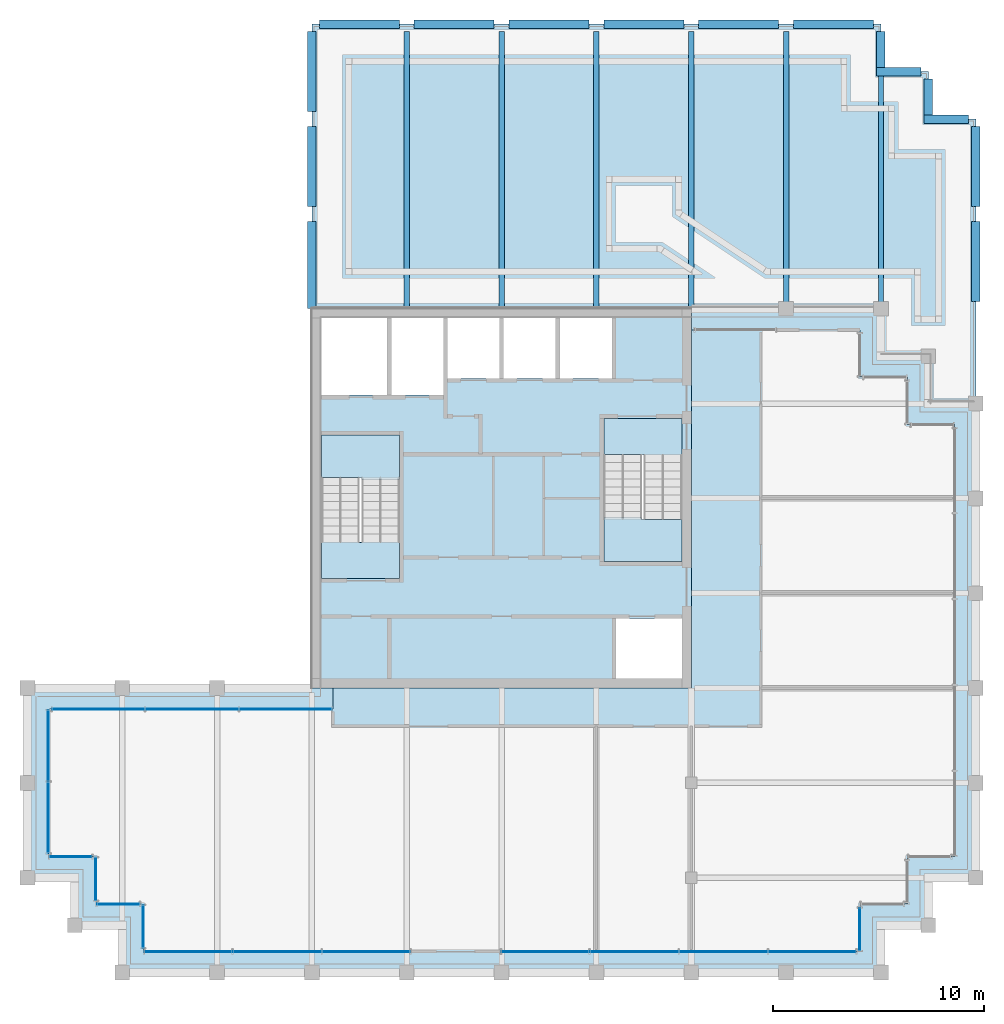
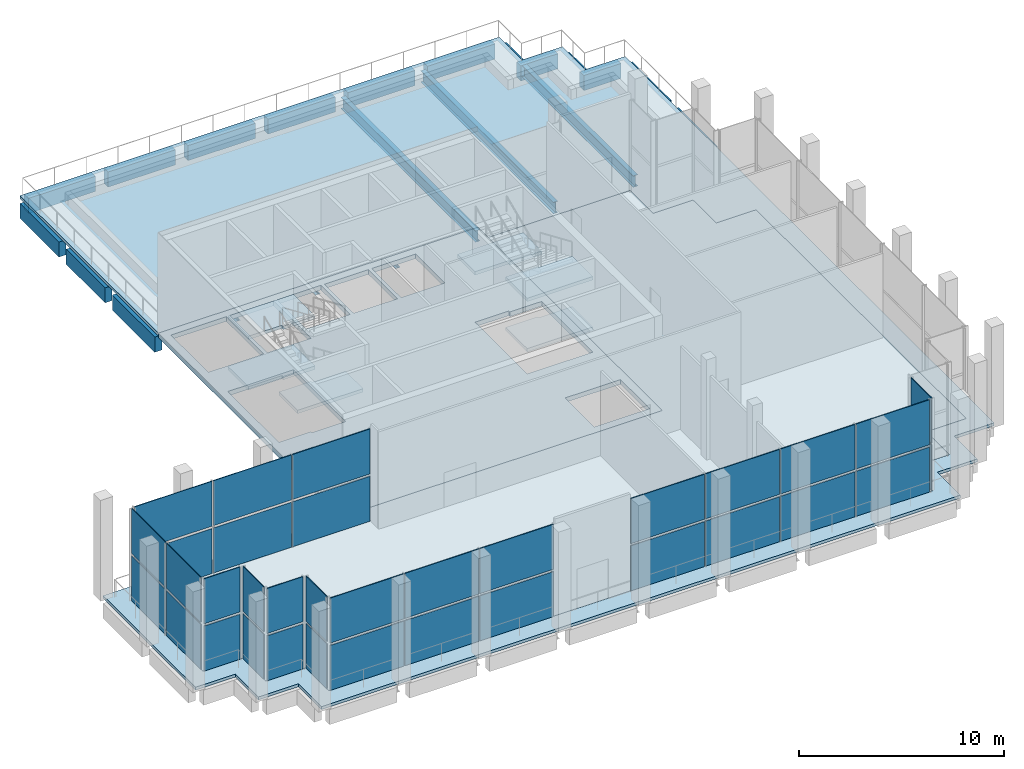
# One storey, part 10 of 15: 34 plates, 21 beams, 9 slabs, 11 elements without a shape of their own.
"""IFC4 building model written with IfcOpenShell, lengths in metres."""

from ifc_helpers import new_model, si_unit, direction, frame, origin, origin_2d, place, context, subcontext, project, spatial, polyline, rectangle, i_section, outline, extrude, material, layer, layer_set, material_profile, profile_set, type_object, element, aggregate, save


model = new_model("IFC4")

# Units and contexts
model_context = context("Model", 3, precision=1e-05, world=origin(), true_north=direction((0.0, 1.0)))
body_context = subcontext(model_context, "Body", "Model", "MODEL_VIEW")
ifc_project = project(units=[si_unit("LENGTHUNIT", "METRE"), si_unit("AREAUNIT", "SQUARE_METRE"), si_unit("VOLUMEUNIT", "CUBIC_METRE"), si_unit("PLANEANGLEUNIT", "RADIAN"), si_unit("MASSUNIT", "GRAM", prefix="KILO")], contexts=[model_context])

# Site, building, storey
site_placement = place(None, origin())
site = spatial("IfcSite", under=ifc_project, at=site_placement, CompositionType="ELEMENT")
building_placement = place(site_placement, origin())
building = spatial("IfcBuilding", under=site, at=building_placement, Name="Altepetl Exchange Towers", CompositionType="ELEMENT")
storey_placement = place(building_placement, frame((0.0, 0.0, 263.60009765625)))
storey = spatial("IfcBuildingStorey", under=building, at=storey_placement, Name="L67 Observation deck", CompositionType="ELEMENT", Elevation=263.60009765625)

# Beams
ifc_material_1 = material(Name="Steel S355", Category="steel")
ifc_material_profile_1 = material_profile(ifc_material_1, i_section(OverallWidth=0.25390625, OverallDepth=0.68408203125, WebThickness=0.012451171875, FlangeThickness=0.018798828125, at=origin_2d()), Name="W27X94")
ifc_profile_set_1 = profile_set([ifc_material_profile_1], Name="Steel S355")
beam_type_1 = type_object("IfcBeamType", Name="Floor beam W27X94", PredefinedType="BEAM", material=ifc_profile_set_1)
for number, where, z_axis, x_axis, name in (
    (1, (45.0, 58.5, -0.51708984375), (0.0, 1.0, 0.0), (-1.0, 0.0, 0.0), "bm:A:L67:t000"),
    (2, (49.5, 58.5, -0.51708984375), (0.0, 1.0, 0.0), (-1.0, 0.0, 0.0), "bm:A:L67:t001"),
    (3, (54.0, 58.5, -0.51708984375), (0.0, 1.0, 0.0), (-1.0, 0.0, 0.0), "bm:A:L67:t002"),
    (4, (58.5, 58.5, -0.51708984375), (0.0, 1.0, 0.0), (-1.0, 0.0, 0.0), "bm:A:L67:t003"),
):
    element("IfcBeam", number, at=place(storey_placement, frame(where, z_axis=z_axis, x_axis=x_axis)), inside=storey, type_object=beam_type_1, Name=name, PredefinedType="BEAM", context=body_context, shape_type="SweptSolid", body=[
        extrude(i_section(OverallWidth=0.25390625, OverallDepth=0.68408203125, WebThickness=0.012451171875, FlangeThickness=0.018798828125, at=origin_2d()), origin(), (0.0, 0.0, 1.0), 13.14990234375),
    ])
beam_1_placement = place(storey_placement, frame((63.0, 58.699951171875, -0.51708984375), z_axis=(0.0, 1.0, 0.0), x_axis=(-1.0, 0.0, 0.0)))
element("IfcBeam", 5, at=beam_1_placement, inside=storey, type_object=beam_type_1, Name="bm:A:L67:t004", PredefinedType="BEAM", context=body_context, shape_type="SweptSolid", body=[
    extrude(i_section(OverallWidth=0.25390625, OverallDepth=0.68408203125, WebThickness=0.012451171875, FlangeThickness=0.018798828125, at=origin_2d()), origin(), (0.0, 0.0, 1.0), 12.949951171875),
])
beam_2_placement = place(storey_placement, frame((67.5, 58.699951171875, -0.51708984375), z_axis=(0.0, 1.0, 0.0), x_axis=(-1.0, 0.0, 0.0)))
element("IfcBeam", 6, at=beam_2_placement, inside=storey, type_object=beam_type_1, Name="bm:A:L67:t005", PredefinedType="BEAM", context=body_context, shape_type="SweptSolid", body=[
    extrude(i_section(OverallWidth=0.25390625, OverallDepth=0.68408203125, WebThickness=0.012451171875, FlangeThickness=0.018798828125, at=origin_2d()), origin(), (0.0, 0.0, 1.0), 10.85009765625),
])
ifc_material_2 = material(Name="Concrete C50/60 precast with cantera rosa facing", Category="concrete")
ifc_material_profile_2 = material_profile(ifc_material_2, rectangle(XDim=0.39990234375, YDim=0.89990234375, at=origin_2d()), Name="400 x 900")
ifc_profile_set_2 = profile_set([ifc_material_profile_2], Name="Concrete C50/60 precast with cantera rosa facing")
beam_type_2 = type_object("IfcBeamType", Name="Spandrel beam 400x900 cantera rosa", PredefinedType="SPANDREL", material=ifc_profile_set_2)
for number, where, z_axis, x_axis, name in (
    (7, (72.0, 58.85009765625, -0.625), (0.0, 1.0, 0.0), (-1.0, 0.0, 0.0), "sp:A:L67:t000"),
    (8, (72.0, 63.35009765625, -0.625), (0.0, 1.0, 0.0), (-1.0, 0.0, 0.0), "sp:A:L67:t001"),
):
    element("IfcBeam", number, at=place(storey_placement, frame(where, z_axis=z_axis, x_axis=x_axis)), inside=storey, type_object=beam_type_2, Name=name, PredefinedType="SPANDREL", context=body_context, shape_type="SweptSolid", body=[
        extrude(rectangle(XDim=0.39990234375, YDim=0.89990234375, at=origin_2d()), origin(), (0.0, 0.0, 1.0), 3.7998046875),
    ])
beam_3_placement = place(storey_placement, frame((71.64990234375, 67.5, -0.625), z_axis=(-1.0, 0.0, 0.0), x_axis=(0.0, -1.0, 0.0)))
element("IfcBeam", 9, at=beam_3_placement, inside=storey, type_object=beam_type_2, Name="sp:A:L67:t002", PredefinedType="SPANDREL", context=body_context, shape_type="SweptSolid", body=[
    extrude(rectangle(XDim=0.39990234375, YDim=0.89990234375, at=origin_2d()), origin(), (0.0, 0.0, 1.0), 2.099853515625),
])
beam_4_placement = place(storey_placement, frame((69.75, 67.699951171875, -0.625), z_axis=(0.0, 1.0, 0.0), x_axis=(-1.0, 0.0, 0.0)))
element("IfcBeam", 10, at=beam_4_placement, inside=storey, type_object=beam_type_2, Name="sp:A:L67:t003", PredefinedType="SPANDREL", context=body_context, shape_type="SweptSolid", body=[
    extrude(rectangle(XDim=0.39990234375, YDim=0.89990234375, at=origin_2d()), origin(), (0.0, 0.0, 1.0), 1.699951171875),
])
beam_5_placement = place(storey_placement, frame((69.39990234375, 69.75, -0.625), z_axis=(-1.0, 0.0, 0.0), x_axis=(0.0, -1.0, 0.0)))
element("IfcBeam", 11, at=beam_5_placement, inside=storey, type_object=beam_type_2, Name="sp:A:L67:t004", PredefinedType="SPANDREL", context=body_context, shape_type="SweptSolid", body=[
    extrude(rectangle(XDim=0.39990234375, YDim=0.89990234375, at=origin_2d()), origin(), (0.0, 0.0, 1.0), 2.099853515625),
])
beam_6_placement = place(storey_placement, frame((67.5, 69.949951171875, -0.625), z_axis=(0.0, 1.0, 0.0), x_axis=(-1.0, 0.0, 0.0)))
element("IfcBeam", 12, at=beam_6_placement, inside=storey, type_object=beam_type_2, Name="sp:A:L67:t005", PredefinedType="SPANDREL", context=body_context, shape_type="SweptSolid", body=[
    extrude(rectangle(XDim=0.39990234375, YDim=0.89990234375, at=origin_2d()), origin(), (0.0, 0.0, 1.0), 1.699951171875),
])
for number, where, z_axis, x_axis, name in (
    (13, (67.14990234375, 72.0, -0.625), (-1.0, 0.0, 0.0), (0.0, -1.0, 0.0), "sp:A:L67:t006"),
    (14, (62.64990234375, 72.0, -0.625), (-1.0, 0.0, 0.0), (0.0, -1.0, 0.0), "sp:A:L67:t007"),
    (15, (58.14990234375, 72.0, -0.625), (-1.0, 0.0, 0.0), (0.0, -1.0, 0.0), "sp:A:L67:t008"),
    (16, (53.64990234375, 72.0, -0.625), (-1.0, 0.0, 0.0), (0.0, -1.0, 0.0), "sp:A:L67:t009"),
    (17, (49.14990234375, 72.0, -0.625), (-1.0, 0.0, 0.0), (0.0, -1.0, 0.0), "sp:A:L67:t010"),
    (18, (44.64990234375, 72.0, -0.625), (-1.0, 0.0, 0.0), (0.0, -1.0, 0.0), "sp:A:L67:t011"),
):
    element("IfcBeam", number, at=place(storey_placement, frame(where, z_axis=z_axis, x_axis=x_axis)), inside=storey, type_object=beam_type_2, Name=name, PredefinedType="SPANDREL", context=body_context, shape_type="SweptSolid", body=[
        extrude(rectangle(XDim=0.39990234375, YDim=0.89990234375, at=origin_2d()), origin(), (0.0, 0.0, 1.0), 3.7998046875),
    ])
ifc_material_3 = material(Name="Concrete C50/60 precast with tezontle facing", Category="concrete")
ifc_material_profile_3 = material_profile(ifc_material_3, rectangle(XDim=0.39990234375, YDim=0.89990234375, at=origin_2d()), Name="400 x 900")
ifc_profile_set_3 = profile_set([ifc_material_profile_3], Name="Concrete C50/60 precast with tezontle facing")
beam_type_3 = type_object("IfcBeamType", Name="Spandrel beam 400x900 tezontle", PredefinedType="SPANDREL", material=ifc_profile_set_3)
for number, where, z_axis, x_axis, name in (
    (19, (40.5, 71.64990234375, -0.625), (0.0, -1.0, 0.0), (1.0, 0.0, 0.0), "sp:A:L67:t012"),
    (20, (40.5, 67.14990234375, -0.625), (0.0, -1.0, 0.0), (1.0, 0.0, 0.0), "sp:A:L67:t013"),
):
    element("IfcBeam", number, at=place(storey_placement, frame(where, z_axis=z_axis, x_axis=x_axis)), inside=storey, type_object=beam_type_3, Name=name, PredefinedType="SPANDREL", context=body_context, shape_type="SweptSolid", body=[
        extrude(rectangle(XDim=0.39990234375, YDim=0.89990234375, at=origin_2d()), origin(), (0.0, 0.0, 1.0), 3.7998046875),
    ])
beam_7_placement = place(storey_placement, frame((40.5, 62.64990234375, -0.625), z_axis=(0.0, -1.0, 0.0), x_axis=(1.0, 0.0, 0.0)))
element("IfcBeam", 21, at=beam_7_placement, inside=storey, type_object=beam_type_3, Name="sp:A:L67:t014", PredefinedType="SPANDREL", context=body_context, shape_type="SweptSolid", body=[
    extrude(rectangle(XDim=0.39990234375, YDim=0.89990234375, at=origin_2d()), origin(), (0.0, 0.0, 1.0), 4.14990234375),
])

# Slabs
ifc_material_4 = material(Name="Concrete C40/50", Category="concrete")
ifc_layer_1 = layer(ifc_material_4, 0.175048828125)
ifc_layer_set_1 = layer_set([ifc_layer_1], Name="Concrete C40/50")
slab_type_1 = type_object("IfcSlabType", Name="Composite floor slab 175", PredefinedType="FLOOR", material=ifc_layer_set_1)
slab_1_placement = place(storey_placement, frame((0.0, 0.0, -0.175048828125)))
element("IfcSlab", 22, at=slab_1_placement, inside=storey, type_object=slab_type_1, Name="slab:A:L67:strip0", PredefinedType="FLOOR", context=body_context, shape_type="SweptSolid", body=[
    extrude(outline(polyline([(41.5, 40.5), (41.5, 39.5), (28.0, 39.5), (28.0, 32.5), (30.25, 32.5), (30.25, 30.25), (32.5, 30.25), (32.5, 28.0), (66.5, 28.0), (66.5, 30.25), (68.75, 30.25), (68.75, 32.5), (71.0, 32.5), (71.0, 53.0), (68.75, 53.0), (68.75, 55.25), (66.5, 55.25), (66.5, 57.5), (58.5, 57.5), (58.5, 40.5), (41.5, 40.5)])), origin(), (0.0, 0.0, 1.0), 0.175048828125),
])
ifc_layer_2 = layer(ifc_material_4, 0.27490234375)
ifc_layer_set_2 = layer_set([ifc_layer_2], Name="Concrete C40/50")
slab_type_2 = type_object("IfcSlabType", Name="Core floor slab 275", PredefinedType="FLOOR", material=ifc_layer_set_2)
slab_2_placement = place(storey_placement, frame((0.0, 0.0, -0.275146484375)))
element("IfcSlab", 23, at=slab_2_placement, inside=storey, type_object=slab_type_2, Name="slab:A:L67:core0", PredefinedType="FLOOR", context=body_context, shape_type="SweptSolid", body=[
    extrude(outline(polyline([(40.5, 40.5), (58.5, 40.5), (58.5, 58.5), (40.5, 58.5), (40.5, 40.5)]), holes=[polyline([(54.93310546875, 43.800048828125), (58.050048828125, 43.800048828125), (58.050048828125, 40.949951171875), (54.93310546875, 40.949951171875), (54.93310546875, 43.800048828125)]), polyline([(54.35009765625, 51.5791015625), (56.25, 51.5791015625), (56.25, 51.47998046875), (58.050048828125, 51.47998046875), (58.050048828125, 46.5), (54.35009765625, 46.5), (54.35009765625, 51.5791015625)]), polyline([(44.64990234375, 47.4208984375), (42.75, 47.4208984375), (42.75, 47.52001953125), (40.949951171875, 47.52001953125), (40.949951171875, 52.5), (44.64990234375, 52.5), (44.64990234375, 47.4208984375)]), polyline([(40.949951171875, 58.050048828125), (44.06689453125, 58.050048828125), (44.06689453125, 54.39990234375), (40.949951171875, 54.39990234375), (40.949951171875, 58.050048828125)]), polyline([(44.26708984375, 58.050048828125), (46.73291015625, 58.050048828125), (46.73291015625, 54.39990234375), (44.26708984375, 54.39990234375), (44.26708984375, 58.050048828125)]), polyline([(46.93310546875, 58.050048828125), (49.39990234375, 58.050048828125), (49.39990234375, 55.199951171875), (46.93310546875, 55.199951171875), (46.93310546875, 58.050048828125)]), polyline([(49.60009765625, 58.050048828125), (52.06689453125, 58.050048828125), (52.06689453125, 55.199951171875), (49.60009765625, 55.199951171875), (49.60009765625, 58.050048828125)]), polyline([(52.26708984375, 58.050048828125), (54.73291015625, 58.050048828125), (54.73291015625, 55.199951171875), (52.26708984375, 55.199951171875), (52.26708984375, 58.050048828125)])]), origin(), (0.0, 0.0, 1.0), 0.275146484375),
])

# Curtain wall, plates
ifc_material_5 = material(Name="Aluminium 6063-T6 glazing", Category="aluminium")
curtain_wall_type = type_object("IfcCurtainWallType", Name="Executive flush glazing system", PredefinedType="NOTDEFINED", material=ifc_material_5)
curtain_wall_1_placement = place(storey_placement, origin())
curtain_wall_1 = element("IfcCurtainWall", 24, at=curtain_wall_1_placement, inside=storey, type_object=curtain_wall_type, Name="CW4 run", PredefinedType="NOTDEFINED")
ifc_material_6 = material(Name="Glass 10-24-10 laminated", Category="glass")
ifc_layer_3 = layer(ifc_material_6, 0.0439453125)
ifc_layer_set_3 = layer_set([ifc_layer_3], Name="Glass 10-24-10 laminated")
plate_type = type_object("IfcPlateType", Name="Glass panel 44 laminated", PredefinedType="CURTAIN_PANEL", material=ifc_layer_set_3)
plate_1_placement = place(storey_placement, frame((39.255859375, 39.5, 0.0), z_axis=(0.0, 0.0, 1.0), x_axis=(-1.0, 0.0, 0.0)))
plate_1 = element("IfcPlate", 25, at=plate_1_placement, type_object=plate_type, Name="GP3 panel", PredefinedType="CURTAIN_PANEL", context=body_context, shape_type="SweptSolid", body=[
    extrude(rectangle(XDim=4.368408203125, YDim=0.0439453125, at=origin_2d()), origin(), (0.0, 0.0, 1.0), 2.679931640625),
])
plate_2_placement = place(storey_placement, frame((39.255859375, 39.5, 2.81982421875), z_axis=(0.0, 0.0, 1.0), x_axis=(-1.0, 0.0, 0.0)))
plate_2 = element("IfcPlate", 26, at=plate_2_placement, type_object=plate_type, Name="GP3 panel", PredefinedType="CURTAIN_PANEL", context=body_context, shape_type="SweptSolid", body=[
    extrude(rectangle(XDim=4.368408203125, YDim=0.0439453125, at=origin_2d()), origin(), (0.0, 0.0, 1.0), 2.679931640625),
])
plate_3_placement = place(storey_placement, frame((34.8125, 39.5, 0.0), z_axis=(0.0, 0.0, 1.0), x_axis=(-1.0, 0.0, 0.0)))
plate_3 = element("IfcPlate", 27, at=plate_3_placement, type_object=plate_type, Name="GP3 panel", PredefinedType="CURTAIN_PANEL", context=body_context, shape_type="SweptSolid", body=[
    extrude(rectangle(XDim=4.3984375, YDim=0.0439453125, at=origin_2d()), origin(), (0.0, 0.0, 1.0), 2.679931640625),
])
plate_4_placement = place(storey_placement, frame((34.8125, 39.5, 2.81982421875), z_axis=(0.0, 0.0, 1.0), x_axis=(-1.0, 0.0, 0.0)))
plate_4 = element("IfcPlate", 28, at=plate_4_placement, type_object=plate_type, Name="GP3 panel", PredefinedType="CURTAIN_PANEL", context=body_context, shape_type="SweptSolid", body=[
    extrude(rectangle(XDim=4.3984375, YDim=0.0439453125, at=origin_2d()), origin(), (0.0, 0.0, 1.0), 2.679931640625),
])
plate_5_placement = place(storey_placement, frame((30.369140625, 39.5, 0.0), z_axis=(0.0, 0.0, 1.0), x_axis=(-1.0, 0.0, 0.0)))
plate_5 = element("IfcPlate", 29, at=plate_5_placement, type_object=plate_type, Name="GP3 panel", PredefinedType="CURTAIN_PANEL", context=body_context, shape_type="SweptSolid", body=[
    extrude(rectangle(XDim=4.368408203125, YDim=0.0439453125, at=origin_2d()), origin(), (0.0, 0.0, 1.0), 2.679931640625),
])
plate_6_placement = place(storey_placement, frame((30.369140625, 39.5, 2.81982421875), z_axis=(0.0, 0.0, 1.0), x_axis=(-1.0, 0.0, 0.0)))
plate_6 = element("IfcPlate", 30, at=plate_6_placement, type_object=plate_type, Name="GP3 panel", PredefinedType="CURTAIN_PANEL", context=body_context, shape_type="SweptSolid", body=[
    extrude(rectangle(XDim=4.368408203125, YDim=0.0439453125, at=origin_2d()), origin(), (0.0, 0.0, 1.0), 2.679931640625),
])
aggregate(curtain_wall_1, [plate_1, plate_2, plate_3, plate_4, plate_5, plate_6])

curtain_wall_2_placement = place(storey_placement, origin())
curtain_wall_2 = element("IfcCurtainWall", 31, at=curtain_wall_2_placement, inside=storey, type_object=curtain_wall_type, Name="CW4 run", PredefinedType="NOTDEFINED")
plate_7_placement = place(storey_placement, frame((28.0, 37.766357421875, 0.0), z_axis=(0.0, 0.0, 1.0), x_axis=(0.0, -1.0, 0.0)))
plate_7 = element("IfcPlate", 32, at=plate_7_placement, type_object=plate_type, Name="GP3 panel", PredefinedType="CURTAIN_PANEL", context=body_context, shape_type="SweptSolid", body=[
    extrude(rectangle(XDim=3.347412109375, YDim=0.0439453125, at=origin_2d()), origin(), (0.0, 0.0, 1.0), 2.679931640625),
])
plate_8_placement = place(storey_placement, frame((28.0, 37.766357421875, 2.81982421875), z_axis=(0.0, 0.0, 1.0), x_axis=(0.0, -1.0, 0.0)))
plate_8 = element("IfcPlate", 33, at=plate_8_placement, type_object=plate_type, Name="GP3 panel", PredefinedType="CURTAIN_PANEL", context=body_context, shape_type="SweptSolid", body=[
    extrude(rectangle(XDim=3.347412109375, YDim=0.0439453125, at=origin_2d()), origin(), (0.0, 0.0, 1.0), 2.679931640625),
])
plate_9_placement = place(storey_placement, frame((28.0, 34.358642578125, 0.0), z_axis=(0.0, 0.0, 1.0), x_axis=(0.0, -1.0, 0.0)))
plate_9 = element("IfcPlate", 34, at=plate_9_placement, type_object=plate_type, Name="GP3 panel", PredefinedType="CURTAIN_PANEL", context=body_context, shape_type="SweptSolid", body=[
    extrude(rectangle(XDim=3.347412109375, YDim=0.0439453125, at=origin_2d()), origin(), (0.0, 0.0, 1.0), 2.679931640625),
])
plate_10_placement = place(storey_placement, frame((28.0, 34.358642578125, 2.81982421875), z_axis=(0.0, 0.0, 1.0), x_axis=(0.0, -1.0, 0.0)))
plate_10 = element("IfcPlate", 35, at=plate_10_placement, type_object=plate_type, Name="GP3 panel", PredefinedType="CURTAIN_PANEL", context=body_context, shape_type="SweptSolid", body=[
    extrude(rectangle(XDim=3.347412109375, YDim=0.0439453125, at=origin_2d()), origin(), (0.0, 0.0, 1.0), 2.679931640625),
])
aggregate(curtain_wall_2, [plate_7, plate_8, plate_9, plate_10])

curtain_wall_3_placement = place(storey_placement, origin())
curtain_wall_3 = element("IfcCurtainWall", 36, at=curtain_wall_3_placement, inside=storey, type_object=curtain_wall_type, Name="CW4 run", PredefinedType="NOTDEFINED")
plate_11_placement = place(storey_placement, frame((29.0625, 32.5, 0.0)))
plate_11 = element("IfcPlate", 37, at=plate_11_placement, type_object=plate_type, Name="GP3 panel", PredefinedType="CURTAIN_PANEL", context=body_context, shape_type="SweptSolid", body=[
    extrude(rectangle(XDim=2.0048828125, YDim=0.0439453125, at=origin_2d()), origin(), (0.0, 0.0, 1.0), 2.679931640625),
])
plate_12_placement = place(storey_placement, frame((29.0625, 32.5, 2.81982421875)))
plate_12 = element("IfcPlate", 38, at=plate_12_placement, type_object=plate_type, Name="GP3 panel", PredefinedType="CURTAIN_PANEL", context=body_context, shape_type="SweptSolid", body=[
    extrude(rectangle(XDim=2.0048828125, YDim=0.0439453125, at=origin_2d()), origin(), (0.0, 0.0, 1.0), 2.679931640625),
])
aggregate(curtain_wall_3, [plate_11, plate_12])

curtain_wall_4_placement = place(storey_placement, origin())
curtain_wall_4 = element("IfcCurtainWall", 39, at=curtain_wall_4_placement, inside=storey, type_object=curtain_wall_type, Name="CW4 run", PredefinedType="NOTDEFINED")
plate_13_placement = place(storey_placement, frame((30.25, 31.4375, 0.0), z_axis=(0.0, 0.0, 1.0), x_axis=(0.0, -1.0, 0.0)))
plate_13 = element("IfcPlate", 40, at=plate_13_placement, type_object=plate_type, Name="GP3 panel", PredefinedType="CURTAIN_PANEL", context=body_context, shape_type="SweptSolid", body=[
    extrude(rectangle(XDim=2.0048828125, YDim=0.0439453125, at=origin_2d()), origin(), (0.0, 0.0, 1.0), 2.679931640625),
])
plate_14_placement = place(storey_placement, frame((30.25, 31.4375, 2.81982421875), z_axis=(0.0, 0.0, 1.0), x_axis=(0.0, -1.0, 0.0)))
plate_14 = element("IfcPlate", 41, at=plate_14_placement, type_object=plate_type, Name="GP3 panel", PredefinedType="CURTAIN_PANEL", context=body_context, shape_type="SweptSolid", body=[
    extrude(rectangle(XDim=2.0048828125, YDim=0.0439453125, at=origin_2d()), origin(), (0.0, 0.0, 1.0), 2.679931640625),
])
aggregate(curtain_wall_4, [plate_13, plate_14])

curtain_wall_5_placement = place(storey_placement, origin())
curtain_wall_5 = element("IfcCurtainWall", 42, at=curtain_wall_5_placement, inside=storey, type_object=curtain_wall_type, Name="CW4 run", PredefinedType="NOTDEFINED")
plate_15_placement = place(storey_placement, frame((31.3125, 30.25, 0.0)))
plate_15 = element("IfcPlate", 43, at=plate_15_placement, type_object=plate_type, Name="GP3 panel", PredefinedType="CURTAIN_PANEL", context=body_context, shape_type="SweptSolid", body=[
    extrude(rectangle(XDim=2.0048828125, YDim=0.0439453125, at=origin_2d()), origin(), (0.0, 0.0, 1.0), 2.679931640625),
])
plate_16_placement = place(storey_placement, frame((31.3125, 30.25, 2.81982421875)))
plate_16 = element("IfcPlate", 44, at=plate_16_placement, type_object=plate_type, Name="GP3 panel", PredefinedType="CURTAIN_PANEL", context=body_context, shape_type="SweptSolid", body=[
    extrude(rectangle(XDim=2.0048828125, YDim=0.0439453125, at=origin_2d()), origin(), (0.0, 0.0, 1.0), 2.679931640625),
])
aggregate(curtain_wall_5, [plate_15, plate_16])

curtain_wall_6_placement = place(storey_placement, origin())
curtain_wall_6 = element("IfcCurtainWall", 45, at=curtain_wall_6_placement, inside=storey, type_object=curtain_wall_type, Name="CW4 run", PredefinedType="NOTDEFINED")
plate_17_placement = place(storey_placement, frame((32.5, 29.1875, 0.0), z_axis=(0.0, 0.0, 1.0), x_axis=(0.0, -1.0, 0.0)))
plate_17 = element("IfcPlate", 46, at=plate_17_placement, type_object=plate_type, Name="GP3 panel", PredefinedType="CURTAIN_PANEL", context=body_context, shape_type="SweptSolid", body=[
    extrude(rectangle(XDim=2.0048828125, YDim=0.0439453125, at=origin_2d()), origin(), (0.0, 0.0, 1.0), 2.679931640625),
])
plate_18_placement = place(storey_placement, frame((32.5, 29.1875, 2.81982421875), z_axis=(0.0, 0.0, 1.0), x_axis=(0.0, -1.0, 0.0)))
plate_18 = element("IfcPlate", 47, at=plate_18_placement, type_object=plate_type, Name="GP3 panel", PredefinedType="CURTAIN_PANEL", context=body_context, shape_type="SweptSolid", body=[
    extrude(rectangle(XDim=2.0048828125, YDim=0.0439453125, at=origin_2d()), origin(), (0.0, 0.0, 1.0), 2.679931640625),
])
aggregate(curtain_wall_6, [plate_17, plate_18])

curtain_wall_7_placement = place(storey_placement, origin())
curtain_wall_7 = element("IfcCurtainWall", 48, at=curtain_wall_7_placement, inside=storey, type_object=curtain_wall_type, Name="CW4 run", PredefinedType="NOTDEFINED")
plate_19_placement = place(storey_placement, frame((34.632080078125, 28.0, 0.0)))
plate_19 = element("IfcPlate", 49, at=plate_19_placement, type_object=plate_type, Name="GP3 panel", PredefinedType="CURTAIN_PANEL", context=body_context, shape_type="SweptSolid", body=[
    extrude(rectangle(XDim=4.144287109375, YDim=0.0439453125, at=origin_2d()), origin(), (0.0, 0.0, 1.0), 2.679931640625),
])
plate_20_placement = place(storey_placement, frame((34.632080078125, 28.0, 2.81982421875)))
plate_20 = element("IfcPlate", 50, at=plate_20_placement, type_object=plate_type, Name="GP3 panel", PredefinedType="CURTAIN_PANEL", context=body_context, shape_type="SweptSolid", body=[
    extrude(rectangle(XDim=4.144287109375, YDim=0.0439453125, at=origin_2d()), origin(), (0.0, 0.0, 1.0), 2.679931640625),
])
plate_21_placement = place(storey_placement, frame((38.8515625, 28.0, 0.0)))
plate_21 = element("IfcPlate", 51, at=plate_21_placement, type_object=plate_type, Name="GP3 panel", PredefinedType="CURTAIN_PANEL", context=body_context, shape_type="SweptSolid", body=[
    extrude(rectangle(XDim=4.17431640625, YDim=0.0439453125, at=origin_2d()), origin(), (0.0, 0.0, 1.0), 2.679931640625),
])
plate_22_placement = place(storey_placement, frame((38.8515625, 28.0, 2.81982421875)))
plate_22 = element("IfcPlate", 52, at=plate_22_placement, type_object=plate_type, Name="GP3 panel", PredefinedType="CURTAIN_PANEL", context=body_context, shape_type="SweptSolid", body=[
    extrude(rectangle(XDim=4.17431640625, YDim=0.0439453125, at=origin_2d()), origin(), (0.0, 0.0, 1.0), 2.679931640625),
])
plate_23_placement = place(storey_placement, frame((43.071044921875, 28.0, 0.0)))
plate_23 = element("IfcPlate", 53, at=plate_23_placement, type_object=plate_type, Name="GP3 panel", PredefinedType="CURTAIN_PANEL", context=body_context, shape_type="SweptSolid", body=[
    extrude(rectangle(XDim=4.144287109375, YDim=0.0439453125, at=origin_2d()), origin(), (0.0, 0.0, 1.0), 2.679931640625),
])
plate_24_placement = place(storey_placement, frame((43.071044921875, 28.0, 2.81982421875)))
plate_24 = element("IfcPlate", 54, at=plate_24_placement, type_object=plate_type, Name="GP3 panel", PredefinedType="CURTAIN_PANEL", context=body_context, shape_type="SweptSolid", body=[
    extrude(rectangle(XDim=4.144287109375, YDim=0.0439453125, at=origin_2d()), origin(), (0.0, 0.0, 1.0), 2.679931640625),
])
aggregate(curtain_wall_7, [plate_19, plate_20, plate_21, plate_22, plate_23, plate_24])

curtain_wall_8_placement = place(storey_placement, origin())
curtain_wall_8 = element("IfcCurtainWall", 55, at=curtain_wall_8_placement, inside=storey, type_object=curtain_wall_type, Name="CW4 run", PredefinedType="NOTDEFINED")
plate_25_placement = place(storey_placement, frame((51.569580078125, 28.0, 0.0)))
plate_25 = element("IfcPlate", 56, at=plate_25_placement, type_object=plate_type, Name="GP3 panel", PredefinedType="CURTAIN_PANEL", context=body_context, shape_type="SweptSolid", body=[
    extrude(rectangle(XDim=4.144287109375, YDim=0.0439453125, at=origin_2d()), origin(), (0.0, 0.0, 1.0), 2.679931640625),
])
plate_26_placement = place(storey_placement, frame((51.569580078125, 28.0, 2.81982421875)))
plate_26 = element("IfcPlate", 57, at=plate_26_placement, type_object=plate_type, Name="GP3 panel", PredefinedType="CURTAIN_PANEL", context=body_context, shape_type="SweptSolid", body=[
    extrude(rectangle(XDim=4.144287109375, YDim=0.0439453125, at=origin_2d()), origin(), (0.0, 0.0, 1.0), 2.679931640625),
])
plate_27_placement = place(storey_placement, frame((55.7890625, 28.0, 0.0)))
plate_27 = element("IfcPlate", 58, at=plate_27_placement, type_object=plate_type, Name="GP3 panel", PredefinedType="CURTAIN_PANEL", context=body_context, shape_type="SweptSolid", body=[
    extrude(rectangle(XDim=4.17431640625, YDim=0.0439453125, at=origin_2d()), origin(), (0.0, 0.0, 1.0), 2.679931640625),
])
plate_28_placement = place(storey_placement, frame((55.7890625, 28.0, 2.81982421875)))
plate_28 = element("IfcPlate", 59, at=plate_28_placement, type_object=plate_type, Name="GP3 panel", PredefinedType="CURTAIN_PANEL", context=body_context, shape_type="SweptSolid", body=[
    extrude(rectangle(XDim=4.17431640625, YDim=0.0439453125, at=origin_2d()), origin(), (0.0, 0.0, 1.0), 2.679931640625),
])
plate_29_placement = place(storey_placement, frame((60.0234375, 28.0, 0.0)))
plate_29 = element("IfcPlate", 60, at=plate_29_placement, type_object=plate_type, Name="GP3 panel", PredefinedType="CURTAIN_PANEL", context=body_context, shape_type="SweptSolid", body=[
    extrude(rectangle(XDim=4.17431640625, YDim=0.0439453125, at=origin_2d()), origin(), (0.0, 0.0, 1.0), 2.679931640625),
])
plate_30_placement = place(storey_placement, frame((60.0234375, 28.0, 2.81982421875)))
plate_30 = element("IfcPlate", 61, at=plate_30_placement, type_object=plate_type, Name="GP3 panel", PredefinedType="CURTAIN_PANEL", context=body_context, shape_type="SweptSolid", body=[
    extrude(rectangle(XDim=4.17431640625, YDim=0.0439453125, at=origin_2d()), origin(), (0.0, 0.0, 1.0), 2.679931640625),
])
plate_31_placement = place(storey_placement, frame((64.242919921875, 28.0, 0.0)))
plate_31 = element("IfcPlate", 62, at=plate_31_placement, type_object=plate_type, Name="GP3 panel", PredefinedType="CURTAIN_PANEL", context=body_context, shape_type="SweptSolid", body=[
    extrude(rectangle(XDim=4.144287109375, YDim=0.0439453125, at=origin_2d()), origin(), (0.0, 0.0, 1.0), 2.679931640625),
])
plate_32_placement = place(storey_placement, frame((64.242919921875, 28.0, 2.81982421875)))
plate_32 = element("IfcPlate", 63, at=plate_32_placement, type_object=plate_type, Name="GP3 panel", PredefinedType="CURTAIN_PANEL", context=body_context, shape_type="SweptSolid", body=[
    extrude(rectangle(XDim=4.144287109375, YDim=0.0439453125, at=origin_2d()), origin(), (0.0, 0.0, 1.0), 2.679931640625),
])
aggregate(curtain_wall_8, [plate_25, plate_26, plate_27, plate_28, plate_29, plate_30, plate_31, plate_32])

curtain_wall_9_placement = place(storey_placement, origin())
curtain_wall_9 = element("IfcCurtainWall", 64, at=curtain_wall_9_placement, inside=storey, type_object=curtain_wall_type, Name="CW4 run", PredefinedType="NOTDEFINED")
plate_33_placement = place(storey_placement, frame((66.5, 29.0625, 0.0), z_axis=(0.0, 0.0, 1.0), x_axis=(0.0, 1.0, 0.0)))
plate_33 = element("IfcPlate", 65, at=plate_33_placement, type_object=plate_type, Name="GP3 panel", PredefinedType="CURTAIN_PANEL", context=body_context, shape_type="SweptSolid", body=[
    extrude(rectangle(XDim=2.0048828125, YDim=0.0439453125, at=origin_2d()), origin(), (0.0, 0.0, 1.0), 2.679931640625),
])
plate_34_placement = place(storey_placement, frame((66.5, 29.0625, 2.81982421875), z_axis=(0.0, 0.0, 1.0), x_axis=(0.0, 1.0, 0.0)))
plate_34 = element("IfcPlate", 66, at=plate_34_placement, type_object=plate_type, Name="GP3 panel", PredefinedType="CURTAIN_PANEL", context=body_context, shape_type="SweptSolid", body=[
    extrude(rectangle(XDim=2.0048828125, YDim=0.0439453125, at=origin_2d()), origin(), (0.0, 0.0, 1.0), 2.679931640625),
])
aggregate(curtain_wall_9, [plate_33, plate_34])

# Slab
ifc_layer_4 = layer(ifc_material_4, 0.175048828125)
ifc_layer_set_4 = layer_set([ifc_layer_4], Name="Concrete C40/50")
slab_type_3 = type_object("IfcSlabType", Name="Green roof slab 175", PredefinedType="ROOF", material=ifc_layer_set_4)
slab_3_placement = place(storey_placement, frame((0.0, 0.0, -0.175048828125)))
element("IfcSlab", 67, at=slab_3_placement, inside=storey, type_object=slab_type_3, Name="slab:A:L67:terrace0", PredefinedType="ROOF", context=body_context, shape_type="SweptSolid", body=[
    extrude(outline(polyline([(67.5, 72.0), (40.5, 72.0), (40.5, 58.5), (58.5, 58.5), (58.5, 57.5), (66.5, 57.5), (66.5, 55.25), (68.75, 55.25), (68.75, 53.0), (71.0, 53.0), (71.0, 32.5), (68.75, 32.5), (68.75, 30.25), (66.5, 30.25), (66.5, 28.0), (32.5, 28.0), (32.5, 30.25), (30.25, 30.25), (30.25, 32.5), (28.0, 32.5), (28.0, 39.5), (41.5, 39.5), (41.5, 40.5), (40.5, 40.5), (27.0, 40.5), (27.0, 31.5), (29.25, 31.5), (29.25, 29.25), (31.5, 29.25), (31.5, 27.0), (58.5, 27.0), (67.5, 27.0), (67.5, 29.25), (69.75, 29.25), (69.75, 31.5), (72.0, 31.5), (72.0, 58.5), (72.0, 67.5), (69.75, 67.5), (69.75, 69.75), (67.5, 69.75), (67.5, 72.0)])), origin(), (0.0, 0.0, 1.0), 0.175048828125),
])

# Stair, slabs
stair_type = type_object("IfcStairType", Name="Exit stair 1800 flights dogleg", PredefinedType="HALF_TURN_STAIR", material=ifc_material_4)
stair_1_placement = place(storey_placement, origin())
stair_1 = element("IfcStair", 68, at=stair_1_placement, inside=storey, type_object=stair_type, Name="Exit stair 1", PredefinedType="HALF_TURN_STAIR")
ifc_layer_5 = layer(ifc_material_4, 0.199951171875)
ifc_layer_set_5 = layer_set([ifc_layer_5], Name="Concrete C40/50")
slab_type_4 = type_object("IfcSlabType", Name="Stair landing 200 reinforced concrete", PredefinedType="LANDING", material=ifc_layer_set_5)
slab_4_placement = place(storey_placement, frame((0.0, 0.0, 1.2998046875)))
slab_4 = element("IfcSlab", 69, at=slab_4_placement, type_object=slab_type_4, Name="ST-A1j landing 1", PredefinedType="LANDING", context=body_context, shape_type="SweptSolid", body=[
    extrude(outline(polyline([(44.64990234375, 50.39990234375), (42.85009765625, 50.39990234375), (42.85009765625, 50.5), (42.75, 50.5), (42.75, 50.499267578125), (40.949951171875, 50.499267578125), (40.949951171875, 50.5), (40.949951171875, 52.5), (44.64990234375, 52.5), (44.64990234375, 50.5), (44.64990234375, 50.39990234375)])), origin(), (0.0, 0.0, 1.0), 0.2001953125),
])
slab_5_placement = place(storey_placement, frame((0.0, 0.0, 2.7998046875)))
slab_5 = element("IfcSlab", 70, at=slab_5_placement, type_object=slab_type_4, Name="ST-A1j landing 2", PredefinedType="LANDING", context=body_context, shape_type="SweptSolid", body=[
    extrude(outline(polyline([(44.64990234375, 45.699951171875), (40.949951171875, 45.699951171875), (40.949951171875, 47.419921875), (40.949951171875, 47.52001953125), (42.75, 47.52001953125), (42.75, 47.419921875), (42.85009765625, 47.419921875), (42.85009765625, 47.420654296875), (44.64990234375, 47.420654296875), (44.64990234375, 47.419921875), (44.64990234375, 45.699951171875)])), origin(), (0.0, 0.0, 1.0), 0.2001953125),
])
slab_6_placement = place(storey_placement, frame((0.0, 0.0, 4.2998046875)))
slab_6 = element("IfcSlab", 71, at=slab_6_placement, type_object=slab_type_4, Name="ST-A1j landing 3", PredefinedType="LANDING", context=body_context, shape_type="SweptSolid", body=[
    extrude(outline(polyline([(44.64990234375, 50.39990234375), (42.85009765625, 50.39990234375), (42.85009765625, 50.5), (42.75, 50.5), (42.75, 50.499267578125), (40.949951171875, 50.499267578125), (40.949951171875, 50.5), (40.949951171875, 52.5), (44.64990234375, 52.5), (44.64990234375, 50.5), (44.64990234375, 50.39990234375)])), origin(), (0.0, 0.0, 1.0), 0.2001953125),
])
aggregate(stair_1, [slab_4, slab_5, slab_6])

stair_2_placement = place(storey_placement, origin())
stair_2 = element("IfcStair", 72, at=stair_2_placement, inside=storey, type_object=stair_type, Name="Exit stair 2", PredefinedType="HALF_TURN_STAIR")
slab_7_placement = place(storey_placement, frame((0.0, 0.0, 1.2998046875)))
slab_7 = element("IfcSlab", 73, at=slab_7_placement, type_object=slab_type_4, Name="ST-A2j landing 1", PredefinedType="LANDING", context=body_context, shape_type="SweptSolid", body=[
    extrude(outline(polyline([(58.050048828125, 46.5), (54.35009765625, 46.5), (54.35009765625, 48.5), (54.35009765625, 48.60009765625), (56.14990234375, 48.60009765625), (56.14990234375, 48.5), (56.25, 48.5), (56.25, 48.500732421875), (58.050048828125, 48.500732421875), (58.050048828125, 48.5), (58.050048828125, 46.5)])), origin(), (0.0, 0.0, 1.0), 0.2001953125),
])
slab_8_placement = place(storey_placement, frame((0.0, 0.0, 2.7998046875)))
slab_8 = element("IfcSlab", 74, at=slab_8_placement, type_object=slab_type_4, Name="ST-A2j landing 2", PredefinedType="LANDING", context=body_context, shape_type="SweptSolid", body=[
    extrude(outline(polyline([(58.050048828125, 51.47998046875), (56.25, 51.47998046875), (56.25, 51.580078125), (56.14990234375, 51.580078125), (56.14990234375, 51.579345703125), (54.35009765625, 51.579345703125), (54.35009765625, 51.580078125), (54.35009765625, 53.300048828125), (58.050048828125, 53.300048828125), (58.050048828125, 51.580078125), (58.050048828125, 51.47998046875)])), origin(), (0.0, 0.0, 1.0), 0.2001953125),
])
slab_9_placement = place(storey_placement, frame((0.0, 0.0, 4.2998046875)))
slab_9 = element("IfcSlab", 75, at=slab_9_placement, type_object=slab_type_4, Name="ST-A2j landing 3", PredefinedType="LANDING", context=body_context, shape_type="SweptSolid", body=[
    extrude(outline(polyline([(58.050048828125, 46.5), (54.35009765625, 46.5), (54.35009765625, 48.5), (54.35009765625, 48.60009765625), (56.14990234375, 48.60009765625), (56.14990234375, 48.5), (56.25, 48.5), (56.25, 48.500732421875), (58.050048828125, 48.500732421875), (58.050048828125, 48.5), (58.050048828125, 46.5)])), origin(), (0.0, 0.0, 1.0), 0.2001953125),
])
aggregate(stair_2, [slab_7, slab_8, slab_9])

save(model, "model.ifc")
